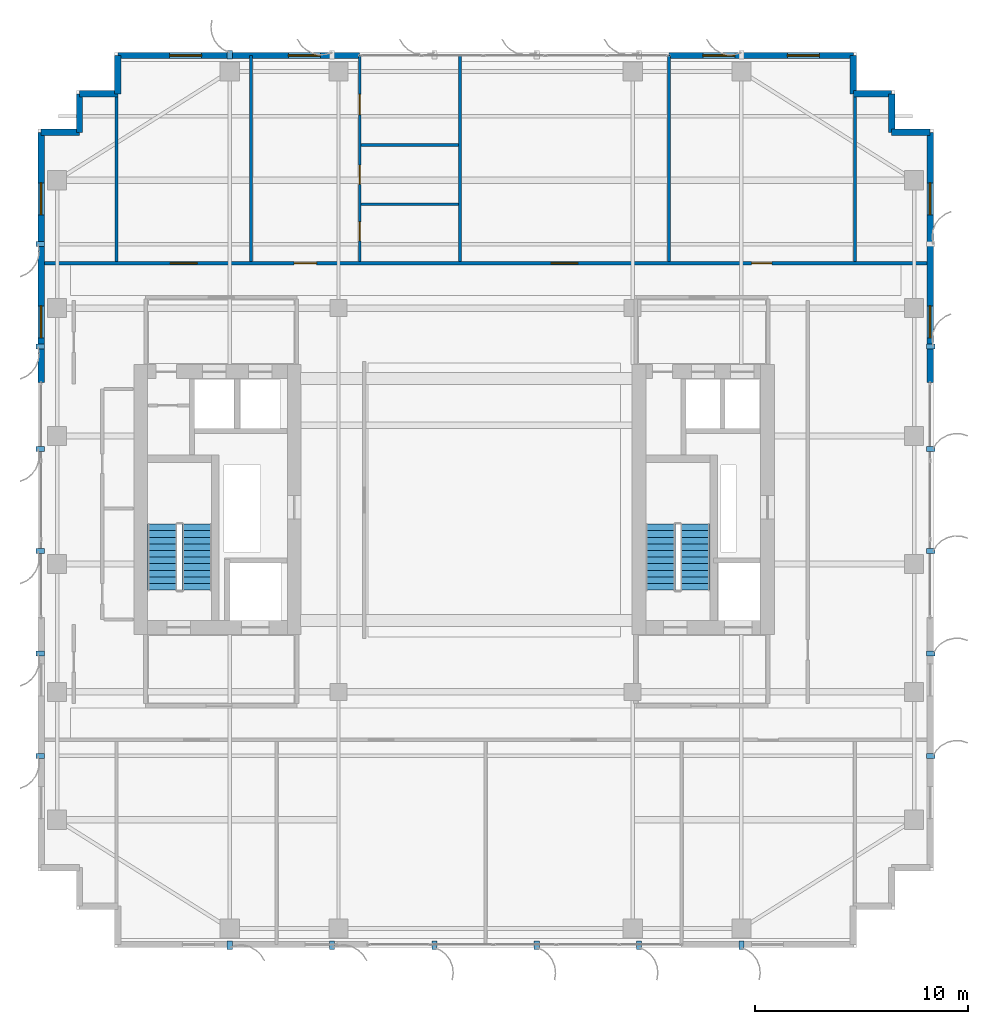
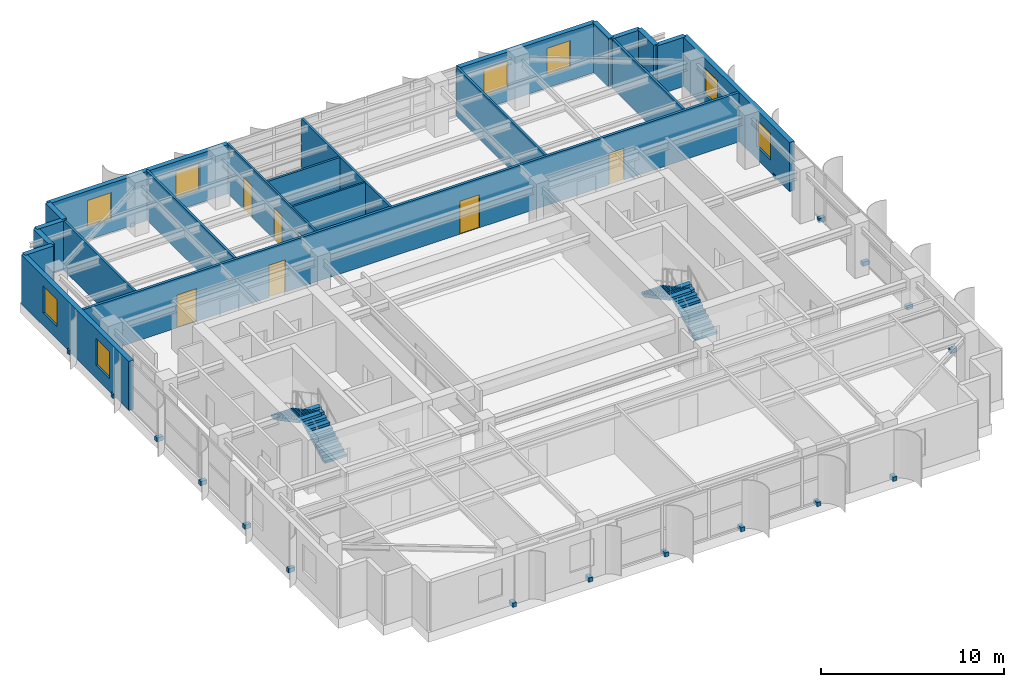
# One storey, part 21 of 25: 21 walls, 18 discrete accessories, 8 windows, 7 doors, 4 stair flights, 15 openings, 2 elements without a shape of their own.
"""IFC4 building model written with IfcOpenShell, lengths in metres."""

import ifcopenshell
import ifcopenshell.guid

model = None  # the IFC model being written
_history = None  # IfcOwnerHistory: only IFC2X3 demands one
_inside = {}  # id of a spatial element -> (the spatial element, [elements in it])
_under = {}  # id of a project, library or spatial element -> (it, [spatial elements below it])
_declared = {}  # id of a project -> (the project, [libraries it declares])
_typed = {}  # id of a type object -> (the type object, [elements of that type])
_made_of = {}  # id of a material, layer set ... -> (it, [elements and type objects made of it])


def new_model(schema):
    """Start an empty IFC model of exactly this schema.

    Asked for "IFC4X3", IfcOpenShell would pick the latest addendum, in which some entities
    have other attributes; the version numbers below select the first issue.
    IFC2X3 requires an IfcOwnerHistory on every rooted entity: one is made here for all.
    """
    global model, _history
    if schema == "IFC4X3":
        model = ifcopenshell.file(schema_version=(4, 3, 0, 0))
    else:
        model = ifcopenshell.file(schema=schema)
    _inside.clear()
    _under.clear()
    _declared.clear()
    _typed.clear()
    _made_of.clear()
    _history = None
    if model.schema == "IFC2X3":
        org = make("IfcOrganization", Name="unknown")
        user = make(
            "IfcPersonAndOrganization",
            ThePerson=make("IfcPerson", FamilyName="unknown"),
            TheOrganization=org,
        )
        app = make(
            "IfcApplication",
            ApplicationDeveloper=org,
            Version="unknown",
            ApplicationFullName="unknown",
            ApplicationIdentifier="unknown",
        )
        _history = make(
            "IfcOwnerHistory",
            OwningUser=user,
            OwningApplication=app,
            ChangeAction="ADDED",
            CreationDate=0,
        )
    return model


def make(cls, **values):
    """One entity of the class cls with the attributes given. An attribute that is None is left unset."""
    return model.create_entity(
        cls, **{name: value for name, value in values.items() if value is not None}
    )


def rooted(cls, **values):
    """An entity with a GlobalId (a new one), such as an element, a storey or a relation."""
    return make(cls, GlobalId=ifcopenshell.guid.new(), OwnerHistory=_history, **values)


def si_unit(unit_type, name, prefix=None):
    """IfcSIUnit, for example si_unit("LENGTHUNIT", "METRE", prefix="MILLI")."""
    return make("IfcSIUnit", UnitType=unit_type, Prefix=prefix, Name=name)


def assignment(units):
    """IfcUnitAssignment: the units of a project."""
    return None if units is None else make("IfcUnitAssignment", Units=units)


def point(xyz):
    """IfcCartesianPoint."""
    return None if xyz is None else make("IfcCartesianPoint", Coordinates=xyz)


def direction(xyz):
    """IfcDirection."""
    return None if xyz is None else make("IfcDirection", DirectionRatios=xyz)


def frame(location, z_axis=None, x_axis=None):
    """IfcAxis2Placement3D, a coordinate frame: its origin and axes. An axis left out is left unset."""
    return make(
        "IfcAxis2Placement3D",
        Location=point(location),
        Axis=direction(z_axis),
        RefDirection=direction(x_axis),
    )


def frame_2d(location, x_axis=None):
    """IfcAxis2Placement2D, a coordinate frame in the plane: its origin and x axis."""
    return make(
        "IfcAxis2Placement2D", Location=point(location), RefDirection=direction(x_axis)
    )


def origin():
    """The frame at (0, 0, 0) with its axes left unset."""
    return frame((0.0, 0.0, 0.0))


def origin_2d():
    """The frame at (0, 0) in the plane with its x axis left unset."""
    return frame_2d((0.0, 0.0))


def place(relative_to, where):
    """IfcLocalPlacement: puts the frame where relative to a parent placement (None: the world)."""
    return make(
        "IfcLocalPlacement", PlacementRelTo=relative_to, RelativePlacement=where
    )


def context(
    kind, dimensions, precision=None, world=None, true_north=None, identifier=None
):
    """IfcGeometricRepresentationContext, for example the 3D "Model" context."""
    return make(
        "IfcGeometricRepresentationContext",
        ContextIdentifier=identifier,
        ContextType=kind,
        CoordinateSpaceDimension=dimensions,
        Precision=precision,
        WorldCoordinateSystem=world,
        TrueNorth=true_north,
    )


def subcontext(parent, identifier, kind, view, scale=None):
    """IfcGeometricRepresentationSubContext, for example "Body" below "Model"."""
    return make(
        "IfcGeometricRepresentationSubContext",
        ContextIdentifier=identifier,
        ContextType=kind,
        ParentContext=parent,
        TargetScale=scale,
        TargetView=view,
    )


def project(units=None, contexts=None):
    """IfcProject with its units and contexts."""
    return rooted(
        "IfcProject",
        Name="project",
        RepresentationContexts=contexts,
        UnitsInContext=assignment(units),
    )


def spatial(cls, under=None, at=None, **own):
    """A site, building, storey or space (cls), placed at a placement, below another one or the project."""
    s = rooted(cls, ObjectPlacement=at, **own)
    if under is not None:
        _under.setdefault(under.id(), (under, []))[1].append(s)
    return s


def polyline(points):
    """IfcPolyline through the points."""
    return make("IfcPolyline", Points=[point(p) for p in points])


def profile(cls, at=None, kind="AREA", **sizes):
    """A parametric profile (cls). Its sizes go by their IFC names, for example OverallWidth=200.0."""
    return make(cls, ProfileType=kind, Position=at, **sizes)


def rectangle(**sizes):
    """IfcRectangleProfileDef."""
    return profile("IfcRectangleProfileDef", **sizes)


def outline(outer, holes=None, kind="AREA"):
    """IfcArbitraryClosedProfileDef: a profile drawn as a closed curve; with holes, ...WithVoids."""
    if holes is None:
        return make("IfcArbitraryClosedProfileDef", ProfileType=kind, OuterCurve=outer)
    return make(
        "IfcArbitraryProfileDefWithVoids",
        ProfileType=kind,
        OuterCurve=outer,
        InnerCurves=holes,
    )


def extrude(swept, where, along, depth):
    """IfcExtrudedAreaSolid: the profile swept, set in the frame where, extruded along a direction by depth."""
    return make(
        "IfcExtrudedAreaSolid",
        SweptArea=swept,
        Position=where,
        ExtrudedDirection=direction(along),
        Depth=depth,
    )


def shape(context_of_items, identifier, shape_type, items):
    """IfcShapeRepresentation: the items that make up one representation, for example the "Body"."""
    return make(
        "IfcShapeRepresentation",
        ContextOfItems=context_of_items,
        RepresentationIdentifier=identifier,
        RepresentationType=shape_type,
        Items=items,
    )


def source(mapping_origin, context_of_items, identifier, shape_type, items):
    """IfcRepresentationMap: a shape defined once, which mapped items show again and again."""
    return make(
        "IfcRepresentationMap",
        MappingOrigin=mapping_origin,
        MappedRepresentation=shape(context_of_items, identifier, shape_type, items),
    )


def transform(
    local_origin,
    x_axis=None,
    y_axis=None,
    z_axis=None,
    scale=None,
    scale2=None,
    scale3=None,
    uniform=True,
):
    """IfcCartesianTransformationOperator3D, or its non-uniform kind. x_axis, y_axis, z_axis: its Axis1, 2, 3."""
    if uniform:
        return make(
            "IfcCartesianTransformationOperator3D",
            Axis1=direction(x_axis),
            Axis2=direction(y_axis),
            LocalOrigin=point(local_origin),
            Scale=scale,
            Axis3=direction(z_axis),
        )
    return make(
        "IfcCartesianTransformationOperator3DnonUniform",
        Axis1=direction(x_axis),
        Axis2=direction(y_axis),
        LocalOrigin=point(local_origin),
        Scale=scale,
        Axis3=direction(z_axis),
        Scale2=scale2,
        Scale3=scale3,
    )


def mapped(mapping_source, mapping_target):
    """IfcMappedItem: shows the shape of a source again, moved by a transform."""
    return make(
        "IfcMappedItem", MappingSource=mapping_source, MappingTarget=mapping_target
    )


def material(Name=None, Category=None):
    """IfcMaterial."""
    return make("IfcMaterial", Name=Name, Category=Category)


def layer(
    of_material, thickness, ventilated=None, Name=None, Category=None, Priority=None
):
    """IfcMaterialLayer: one layer of a wall or slab, of a material (None: an air gap)."""
    return make(
        "IfcMaterialLayer",
        Material=of_material,
        LayerThickness=thickness,
        IsVentilated=ventilated,
        Name=Name,
        Category=Category,
        Priority=Priority,
    )


def layer_set(layers, Name=None):
    """IfcMaterialLayerSet."""
    return make("IfcMaterialLayerSet", MaterialLayers=layers, LayerSetName=Name)


def made_of(thing, what):
    """Note that an element or type object is made of a material, layer set ...; save() writes the relation."""
    if what is not None:
        _made_of.setdefault(what.id(), (what, []))[1].append(thing)
    return thing


def type_object(cls, material=None, **own):
    """A type object (cls), such as IfcWallType, which elements share."""
    return made_of(rooted(cls, **own), material)


def element(
    cls,
    number,
    at=None,
    inside=None,
    cuts=None,
    type_object=None,
    material=None,
    context=None,
    identifier="Body",
    shape_type=None,
    held_by="IfcProductDefinitionShape",
    body=None,
    shapes=None,
    **own,
):
    """One element of the class cls, such as IfcWall. Its Tag is "e" and its number.

    at: its placement. inside: the storey or other place that contains it. cuts: it is an
    opening in that element (IfcRelVoidsElement). A single representation is given by context,
    identifier, shape_type and body (its items); several are given by shapes. held_by: the class
    of the entity that holds the representations. save() writes the other relations.
    """
    e = rooted(cls, Tag="e%d" % number, ObjectPlacement=at, **own)
    if body is not None:
        shapes = [shape(context, identifier, shape_type, body)]
    if shapes is not None:
        e.Representation = make(held_by, Representations=shapes)
    if inside is not None:
        _inside.setdefault(inside.id(), (inside, []))[1].append(e)
    if cuts is not None:
        rooted(
            "IfcRelVoidsElement", RelatingBuildingElement=cuts, RelatedOpeningElement=e
        )
    if type_object is not None:
        _typed.setdefault(type_object.id(), (type_object, []))[1].append(e)
    return made_of(e, material)


def fill(opening, filler):
    """IfcRelFillsElement: the door or window that sits in an opening."""
    return rooted(
        "IfcRelFillsElement",
        RelatingOpeningElement=opening,
        RelatedBuildingElement=filler,
    )


def aggregate(whole, parts):
    """IfcRelAggregates: a whole, such as a stair, and the parts it consists of."""
    return rooted("IfcRelAggregates", RelatingObject=whole, RelatedObjects=parts)


def save(model, path):
    """Write the relations noted so far, then the file.

    IfcRelAggregates (storeys below a building ...), IfcRelContainedInSpatialStructure (elements
    in a storey), IfcRelDefinesByType, IfcRelAssociatesMaterial and IfcRelDeclares: one each for
    every whole, place, type object, material and project.
    """
    for whole, parts in _under.values():
        aggregate(whole, parts)
    for where, things in _inside.values():
        rooted(
            "IfcRelContainedInSpatialStructure",
            RelatedElements=things,
            RelatingStructure=where,
        )
    for kind, things in _typed.values():
        rooted("IfcRelDefinesByType", RelatedObjects=things, RelatingType=kind)
    for what, things in _made_of.values():
        rooted("IfcRelAssociatesMaterial", RelatedObjects=things, RelatingMaterial=what)
    for by, libraries in _declared.values():
        rooted("IfcRelDeclares", RelatingContext=by, RelatedDefinitions=libraries)
    model.write(path)


model = new_model("IFC4")

# Units and contexts
model_context = context("Model", 3, precision=1e-05, world=origin(), true_north=direction((0.0, 1.0)))
body_context = subcontext(model_context, "Body", "Model", "MODEL_VIEW")
ifc_project = project(units=[si_unit("LENGTHUNIT", "METRE"), si_unit("AREAUNIT", "SQUARE_METRE"), si_unit("VOLUMEUNIT", "CUBIC_METRE"), si_unit("PLANEANGLEUNIT", "RADIAN"), si_unit("MASSUNIT", "GRAM", prefix="KILO")], contexts=[model_context])

# Site, building, storey
site_placement = place(None, origin())
site = spatial("IfcSite", under=ifc_project, at=site_placement, CompositionType="ELEMENT")
building_placement = place(site_placement, origin())
building = spatial("IfcBuilding", under=site, at=building_placement, Name="Khoralis Quay Care Tower", CompositionType="ELEMENT")
storey_placement = place(building_placement, frame((0.0, 0.0, 216.89990234375)))
storey = spatial("IfcBuildingStorey", under=building, at=storey_placement, Name="L57", CompositionType="ELEMENT", Elevation=216.89990234375)

# Wall, openings, doors
ifc_material_1 = material(Name="Gypsum plasterboard on acoustic metal stud")
ifc_layer_1 = layer(ifc_material_1, 0.1650390625)
ifc_layer_set_1 = layer_set([ifc_layer_1], Name="Gypsum plasterboard on acoustic metal stud")
wall_type_1 = type_object("IfcWallType", Name="WL-CORR-165", PredefinedType="PARTITIONING", material=ifc_layer_set_1)
wall_1_placement = place(storey_placement, frame((3.14501953125, 32.10009765625, 0.0), z_axis=(0.0, 0.0, 1.0), x_axis=(1.0, 0.0, 0.0)))
wall_1 = element("IfcWall", 1, at=wall_1_placement, inside=storey, type_object=wall_type_1, Name="L57 North Gallery Wall", PredefinedType="PARTITIONING", context=body_context, shape_type="SweptSolid", body=[
    extrude(rectangle(XDim=41.7099609375, YDim=0.1650390625, at=frame_2d((20.85498046875, 0.0))), origin(), (0.0, 0.0, 1.0), 3.280029296875),
])
opening_1_placement = place(wall_1_placement, frame((6.070068359375, 0.0, 0.0)))
opening_1 = element("IfcOpeningElement", 2, at=opening_1_placement, cuts=wall_1, Name="Opening CD1", PredefinedType="OPENING", context=body_context, shape_type="SweptSolid", body=[
    extrude(rectangle(XDim=1.25, YDim=2.199951171875, at=frame_2d((0.625, 1.10009765625))), frame((0.0, 0.092529296875, 0.0), z_axis=(0.0, -1.0, 0.0), x_axis=(1.0, 0.0, 0.0)), (0.0, 0.0, 1.0), 0.18505859375),
])
opening_2_placement = place(wall_1_placement, frame((11.8779296875, 0.0, 0.0)))
opening_2 = element("IfcOpeningElement", 3, at=opening_2_placement, cuts=wall_1, Name="Opening UD1", PredefinedType="OPENING", context=body_context, shape_type="SweptSolid", body=[
    extrude(rectangle(XDim=1.050048828125, YDim=2.14990234375, at=frame_2d((0.52490234375, 1.074951171875))), frame((0.0, 0.092529296875, 0.0), z_axis=(0.0, -1.0, 0.0), x_axis=(1.0, 0.0, 0.0)), (0.0, 0.0, 1.0), 0.18505859375),
])
opening_3_placement = place(wall_1_placement, frame((23.929931640625, 0.0, 0.0)))
opening_3 = element("IfcOpeningElement", 4, at=opening_3_placement, cuts=wall_1, Name="Opening CD1", PredefinedType="OPENING", context=body_context, shape_type="SweptSolid", body=[
    extrude(rectangle(XDim=1.25, YDim=2.199951171875, at=frame_2d((0.625, 1.10009765625))), frame((0.0, 0.092529296875, 0.0), z_axis=(0.0, -1.0, 0.0), x_axis=(1.0, 0.0, 0.0)), (0.0, 0.0, 1.0), 0.18505859375),
])
opening_4_placement = place(wall_1_placement, frame((33.340087890625, 0.0, 0.0)))
opening_4 = element("IfcOpeningElement", 5, at=opening_4_placement, cuts=wall_1, Name="Opening ID1", PredefinedType="OPENING", context=body_context, shape_type="SweptSolid", body=[
    extrude(rectangle(XDim=0.949951171875, YDim=2.10009765625, at=frame_2d((0.47509765625, 1.050048828125))), frame((0.0, 0.092529296875, 0.0), z_axis=(0.0, -1.0, 0.0), x_axis=(1.0, 0.0, 0.0)), (0.0, 0.0, 1.0), 0.18505859375),
])
ifc_material_2 = material(Name="Acoustic hardwood timber", Category="wood")
door_type_1 = type_object("IfcDoorType", Name="DR-CARE-1250X2200", OperationType="NOTDEFINED", PredefinedType="DOOR", material=ifc_material_2)
shared_shape_1 = source(origin(), body_context, "Body", "SweptSolid", [
    extrude(rectangle(XDim=1.25, YDim=2.199951171875, at=frame_2d((0.625, 1.10009765625))), frame((0.0, 0.02490234375, 0.0), z_axis=(0.0, -1.0, 0.0), x_axis=(1.0, 0.0, 0.0)), (0.0, 0.0, 1.0), 0.050048828125),
])
door_1_placement = place(opening_1_placement, origin())
door_1 = element("IfcDoor", 6, at=door_1_placement, inside=storey, type_object=door_type_1, Name="L57 Geriatric Consultation Clinic Door", OperationType="SINGLE_SWING_LEFT", OverallHeight=2.199951171875, OverallWidth=1.25, PredefinedType="DOOR", context=body_context, shape_type="MappedRepresentation", body=[
    mapped(shared_shape_1, transform((0.0, 0.0, 0.0), scale=1.0)),
])
fill(opening_1, door_1)
door_2_placement = place(opening_3_placement, origin())
door_2 = element("IfcDoor", 7, at=door_2_placement, inside=storey, type_object=door_type_1, Name="L57 Physiotherapy Treatment Clinic Door", OperationType="SINGLE_SWING_LEFT", OverallHeight=2.199951171875, OverallWidth=1.25, PredefinedType="DOOR", context=body_context, shape_type="MappedRepresentation", body=[
    mapped(shared_shape_1, transform((0.0, 0.0, 0.0), scale=1.0)),
])
fill(opening_3, door_2)
door_type_2 = type_object("IfcDoorType", Name="DR-ROOM-950X2100", OperationType="NOTDEFINED", PredefinedType="DOOR", material=ifc_material_2)
shared_shape_2 = source(origin(), body_context, "Body", "SweptSolid", [
    extrude(rectangle(XDim=0.949951171875, YDim=2.10009765625, at=frame_2d((0.47509765625, 1.050048828125))), frame((0.0, 0.02490234375, 0.0), z_axis=(0.0, -1.0, 0.0), x_axis=(1.0, 0.0, 0.0)), (0.0, 0.0, 1.0), 0.050048828125),
])
door_3_placement = place(opening_4_placement, origin())
door_3 = element("IfcDoor", 8, at=door_3_placement, inside=storey, type_object=door_type_2, Name="L57 Care Coordination Office Door", OperationType="SINGLE_SWING_LEFT", OverallHeight=2.10009765625, OverallWidth=0.949951171875, PredefinedType="DOOR", context=body_context, shape_type="MappedRepresentation", body=[
    mapped(shared_shape_2, transform((0.0, 0.0, 0.0), scale=1.0)),
])
fill(opening_4, door_3)
door_type_3 = type_object("IfcDoorType", Name="DR-SUITE-1050X2150", OperationType="NOTDEFINED", PredefinedType="DOOR", material=ifc_material_2)
shared_shape_3 = source(origin(), body_context, "Body", "SweptSolid", [
    extrude(rectangle(XDim=1.050048828125, YDim=2.14990234375, at=frame_2d((0.52490234375, 1.074951171875))), frame((0.0, 0.02490234375, 0.0), z_axis=(0.0, -1.0, 0.0), x_axis=(1.0, 0.0, 0.0)), (0.0, 0.0, 1.0), 0.050048828125),
])
door_4_placement = place(opening_2_placement, origin())
door_4 = element("IfcDoor", 9, at=door_4_placement, inside=storey, type_object=door_type_3, Name="L57 Apartment NB1 Entrance Door", OperationType="SINGLE_SWING_RIGHT", OverallHeight=2.14990234375, OverallWidth=1.050048828125, PredefinedType="DOOR", context=body_context, shape_type="MappedRepresentation", body=[
    mapped(shared_shape_3, transform((0.0, 0.0, 0.0), scale=1.0)),
])
fill(opening_2, door_4)

# Wall, openings, windows
ifc_material_3 = material(Name="Precast concrete C45/55", Category="concrete")
ifc_layer_2 = layer(ifc_material_3, 0.300048828125)
ifc_layer_set_2 = layer_set([ifc_layer_2], Name="Precast concrete C45/55")
wall_type_2 = type_object("IfcWallType", Name="WL-EXT-REF-300", PredefinedType="SOLIDWALL", material=ifc_layer_set_2)
wall_2_placement = place(storey_placement, frame((44.85009765625, 26.52001953125, 0.0), z_axis=(0.0, 0.0, 1.0), x_axis=(0.0, 1.0, 0.0)))
wall_2 = element("IfcWall", 10, at=wall_2_placement, inside=storey, type_object=wall_type_2, Name="L57 External Facade Wall WL-EXT-L57-P1-E5B", PredefinedType="SOLIDWALL", context=body_context, shape_type="SweptSolid", body=[
    extrude(rectangle(XDim=11.72998046875, YDim=0.300048828125, at=frame_2d((5.864990234375, 0.0))), origin(), (0.0, 0.0, 1.0), 3.280029296875),
])
opening_5_placement = place(wall_2_placement, frame((2.090087890625, 0.0, 0.85009765625)))
opening_5 = element("IfcOpeningElement", 11, at=opening_5_placement, cuts=wall_2, Name="Opening W3", PredefinedType="OPENING", context=body_context, shape_type="SweptSolid", body=[
    extrude(rectangle(XDim=1.5, YDim=1.800048828125, at=frame_2d((0.75, 0.89990234375))), frame((0.0, 0.16015625, 0.0), z_axis=(0.0, -1.0, 0.0), x_axis=(1.0, 0.0, 0.0)), (0.0, 0.0, 1.0), 0.320068359375),
])
opening_6_placement = place(wall_2_placement, frame((7.85498046875, 0.0, 0.85009765625)))
opening_6 = element("IfcOpeningElement", 12, at=opening_6_placement, cuts=wall_2, Name="Opening W3", PredefinedType="OPENING", context=body_context, shape_type="SweptSolid", body=[
    extrude(rectangle(XDim=1.5, YDim=1.800048828125, at=frame_2d((0.75, 0.89990234375))), frame((0.0, 0.16015625, 0.0), z_axis=(0.0, -1.0, 0.0), x_axis=(1.0, 0.0, 0.0)), (0.0, 0.0, 1.0), 0.320068359375),
])
ifc_material_4 = material(Name="Low-E solar-control double glazing", Category="glass")
window_type = type_object("IfcWindowType", Name="WN-CLIN-1500X1800", PartitioningType="SINGLE_PANEL", PredefinedType="WINDOW", material=ifc_material_4)
shared_shape_4 = source(origin(), body_context, "Body", "SweptSolid", [
    extrude(rectangle(XDim=1.5, YDim=1.800048828125, at=frame_2d((0.75, 0.89990234375))), frame((0.0, 0.030029296875, 0.0), z_axis=(0.0, -1.0, 0.0), x_axis=(1.0, 0.0, 0.0)), (0.0, 0.0, 1.0), 0.06005859375),
])
window_1_placement = place(opening_5_placement, origin())
window_1 = element("IfcWindow", 13, at=window_1_placement, inside=storey, type_object=window_type, Name="WN-L57-P1-E5B Facade Window 01", OverallHeight=1.800048828125, OverallWidth=1.5, PartitioningType="SINGLE_PANEL", PredefinedType="WINDOW", context=body_context, shape_type="MappedRepresentation", body=[
    mapped(shared_shape_4, transform((0.0, 0.0, 0.0), scale=1.0)),
])
fill(opening_5, window_1)
window_2_placement = place(opening_6_placement, origin())
window_2 = element("IfcWindow", 14, at=window_2_placement, inside=storey, type_object=window_type, Name="WN-L57-P1-E5B Facade Window 02", OverallHeight=1.800048828125, OverallWidth=1.5, PartitioningType="SINGLE_PANEL", PredefinedType="WINDOW", context=body_context, shape_type="MappedRepresentation", body=[
    mapped(shared_shape_4, transform((0.0, 0.0, 0.0), scale=1.0)),
])
fill(opening_6, window_2)

# Walls
for number, where, z_axis, x_axis, name in (
    (15, (44.85009765625, 38.25, 0.0), (0.0, 0.0, 1.0), (-1.0, 0.0, 0.0), "L57 External Facade Wall WL-EXT-L57-P1-C6"),
    (16, (43.050048828125, 38.25, 0.0), (0.0, 0.0, 1.0), (0.0, 1.0, 0.0), "L57 External Facade Wall WL-EXT-L57-P1-C7"),
    (17, (43.050048828125, 40.050048828125, 0.0), (0.0, 0.0, 1.0), (-1.0, 0.0, 0.0), "L57 External Facade Wall WL-EXT-L57-P1-C8"),
    (18, (41.25, 40.050048828125, 0.0), (0.0, 0.0, 1.0), (0.0, 1.0, 0.0), "L57 External Facade Wall WL-EXT-L57-P1-C9"),
):
    element("IfcWall", number, at=place(storey_placement, frame(where, z_axis=z_axis, x_axis=x_axis)), inside=storey, type_object=wall_type_2, Name=name, PredefinedType="SOLIDWALL", context=body_context, shape_type="SweptSolid", body=[
        extrude(rectangle(XDim=1.800048828125, YDim=0.300048828125, at=frame_2d((0.89990234375, 0.0))), origin(), (0.0, 0.0, 1.0), 3.280029296875),
    ])

# Wall, openings, windows
wall_3_placement = place(storey_placement, frame((41.25, 41.85009765625, 0.0), z_axis=(0.0, 0.0, 1.0), x_axis=(-1.0, 0.0, 0.0)))
wall_3 = element("IfcWall", 19, at=wall_3_placement, inside=storey, type_object=wall_type_2, Name="L57 External Facade Wall WL-EXT-L57-P1-E10A", PredefinedType="SOLIDWALL", context=body_context, shape_type="SweptSolid", body=[
    extrude(rectangle(XDim=8.64990234375, YDim=0.300048828125, at=frame_2d((4.324951171875, 0.0))), origin(), (0.0, 0.0, 1.0), 3.280029296875),
])
opening_7_placement = place(wall_3_placement, frame((1.592529296875, 0.0, 0.85009765625)))
opening_7 = element("IfcOpeningElement", 20, at=opening_7_placement, cuts=wall_3, Name="Opening W3", PredefinedType="OPENING", context=body_context, shape_type="SweptSolid", body=[
    extrude(rectangle(XDim=1.5, YDim=1.800048828125, at=frame_2d((0.75, 0.89990234375))), frame((0.0, 0.16015625, 0.0), z_axis=(0.0, -1.0, 0.0), x_axis=(1.0, 0.0, 0.0)), (0.0, 0.0, 1.0), 0.320068359375),
])
opening_8_placement = place(wall_3_placement, frame((5.5576171875, 0.0, 0.85009765625)))
opening_8 = element("IfcOpeningElement", 21, at=opening_8_placement, cuts=wall_3, Name="Opening W3", PredefinedType="OPENING", context=body_context, shape_type="SweptSolid", body=[
    extrude(rectangle(XDim=1.5, YDim=1.800048828125, at=frame_2d((0.75, 0.89990234375))), frame((0.0, 0.16015625, 0.0), z_axis=(0.0, -1.0, 0.0), x_axis=(1.0, 0.0, 0.0)), (0.0, 0.0, 1.0), 0.320068359375),
])
window_3_placement = place(opening_7_placement, origin())
window_3 = element("IfcWindow", 22, at=window_3_placement, inside=storey, type_object=window_type, Name="WN-L57-P1-E10A Facade Window 01", OverallHeight=1.800048828125, OverallWidth=1.5, PartitioningType="SINGLE_PANEL", PredefinedType="WINDOW", context=body_context, shape_type="MappedRepresentation", body=[
    mapped(shared_shape_4, transform((0.0, 0.0, 0.0), scale=1.0)),
])
fill(opening_7, window_3)
window_4_placement = place(opening_8_placement, origin())
window_4 = element("IfcWindow", 23, at=window_4_placement, inside=storey, type_object=window_type, Name="WN-L57-P1-E10A Facade Window 02", OverallHeight=1.800048828125, OverallWidth=1.5, PartitioningType="SINGLE_PANEL", PredefinedType="WINDOW", context=body_context, shape_type="MappedRepresentation", body=[
    mapped(shared_shape_4, transform((0.0, 0.0, 0.0), scale=1.0)),
])
fill(opening_8, window_4)

wall_4_placement = place(storey_placement, frame((18.095947265625, 41.85009765625, 0.0), z_axis=(0.0, 0.0, 1.0), x_axis=(-1.0, 0.0, 0.0)))
wall_4 = element("IfcWall", 24, at=wall_4_placement, inside=storey, type_object=wall_type_2, Name="L57 External Facade Wall WL-EXT-L57-P1-E10B", PredefinedType="SOLIDWALL", context=body_context, shape_type="SweptSolid", body=[
    extrude(rectangle(XDim=11.345947265625, YDim=0.300048828125, at=frame_2d((5.6728515625, 0.0))), origin(), (0.0, 0.0, 1.0), 3.280029296875),
])
opening_9_placement = place(wall_4_placement, frame((1.847900390625, 0.0, 0.85009765625)))
opening_9 = element("IfcOpeningElement", 25, at=opening_9_placement, cuts=wall_4, Name="Opening W3", PredefinedType="OPENING", context=body_context, shape_type="SweptSolid", body=[
    extrude(rectangle(XDim=1.5, YDim=1.800048828125, at=frame_2d((0.75, 0.89990234375))), frame((0.0, 0.16015625, 0.0), z_axis=(0.0, -1.0, 0.0), x_axis=(1.0, 0.0, 0.0)), (0.0, 0.0, 1.0), 0.320068359375),
])
opening_10_placement = place(wall_4_placement, frame((7.4208984375, 0.0, 0.85009765625)))
opening_10 = element("IfcOpeningElement", 26, at=opening_10_placement, cuts=wall_4, Name="Opening W3", PredefinedType="OPENING", context=body_context, shape_type="SweptSolid", body=[
    extrude(rectangle(XDim=1.5, YDim=1.800048828125, at=frame_2d((0.75, 0.89990234375))), frame((0.0, 0.16015625, 0.0), z_axis=(0.0, -1.0, 0.0), x_axis=(1.0, 0.0, 0.0)), (0.0, 0.0, 1.0), 0.320068359375),
])
window_5_placement = place(opening_9_placement, origin())
window_5 = element("IfcWindow", 27, at=window_5_placement, inside=storey, type_object=window_type, Name="WN-L57-P1-E10B Facade Window 01", OverallHeight=1.800048828125, OverallWidth=1.5, PartitioningType="SINGLE_PANEL", PredefinedType="WINDOW", context=body_context, shape_type="MappedRepresentation", body=[
    mapped(shared_shape_4, transform((0.0, 0.0, 0.0), scale=1.0)),
])
fill(opening_9, window_5)
window_6_placement = place(opening_10_placement, origin())
window_6 = element("IfcWindow", 28, at=window_6_placement, inside=storey, type_object=window_type, Name="WN-L57-P1-E10B Facade Window 02", OverallHeight=1.800048828125, OverallWidth=1.5, PartitioningType="SINGLE_PANEL", PredefinedType="WINDOW", context=body_context, shape_type="MappedRepresentation", body=[
    mapped(shared_shape_4, transform((0.0, 0.0, 0.0), scale=1.0)),
])
fill(opening_10, window_6)

# Walls
for number, where, z_axis, x_axis, name in (
    (29, (6.75, 41.85009765625, 0.0), (0.0, 0.0, 1.0), (0.0, -1.0, 0.0), "L57 External Facade Wall WL-EXT-L57-P1-C11"),
    (30, (6.75, 40.050048828125, 0.0), (0.0, 0.0, 1.0), (-1.0, 0.0, 0.0), "L57 External Facade Wall WL-EXT-L57-P1-C12"),
    (31, (4.949951171875, 40.050048828125, 0.0), (0.0, 0.0, 1.0), (0.0, -1.0, 0.0), "L57 External Facade Wall WL-EXT-L57-P1-C13"),
    (32, (4.949951171875, 38.25, 0.0), (0.0, 0.0, 1.0), (-1.0, 0.0, 0.0), "L57 External Facade Wall WL-EXT-L57-P1-C14"),
):
    element("IfcWall", number, at=place(storey_placement, frame(where, z_axis=z_axis, x_axis=x_axis)), inside=storey, type_object=wall_type_2, Name=name, PredefinedType="SOLIDWALL", context=body_context, shape_type="SweptSolid", body=[
        extrude(rectangle(XDim=1.800048828125, YDim=0.300048828125, at=frame_2d((0.89990234375, 0.0))), origin(), (0.0, 0.0, 1.0), 3.280029296875),
    ])

# Wall, openings, windows
wall_5_placement = place(storey_placement, frame((3.14990234375, 38.25, 0.0), z_axis=(0.0, 0.0, 1.0), x_axis=(0.0, -1.0, 0.0)))
wall_5 = element("IfcWall", 33, at=wall_5_placement, inside=storey, type_object=wall_type_2, Name="L57 External Facade Wall WL-EXT-L57-P1-E15A", PredefinedType="SOLIDWALL", context=body_context, shape_type="SweptSolid", body=[
    extrude(rectangle(XDim=11.72998046875, YDim=0.300048828125, at=frame_2d((5.864990234375, 0.0))), origin(), (0.0, 0.0, 1.0), 3.280029296875),
])
opening_11_placement = place(wall_5_placement, frame((2.375, 0.0, 0.85009765625)))
opening_11 = element("IfcOpeningElement", 34, at=opening_11_placement, cuts=wall_5, Name="Opening W3", PredefinedType="OPENING", context=body_context, shape_type="SweptSolid", body=[
    extrude(rectangle(XDim=1.5, YDim=1.800048828125, at=frame_2d((0.75, 0.89990234375))), frame((0.0, 0.16015625, 0.0), z_axis=(0.0, -1.0, 0.0), x_axis=(1.0, 0.0, 0.0)), (0.0, 0.0, 1.0), 0.320068359375),
])
opening_12_placement = place(wall_5_placement, frame((8.139892578125, 0.0, 0.85009765625)))
opening_12 = element("IfcOpeningElement", 35, at=opening_12_placement, cuts=wall_5, Name="Opening W3", PredefinedType="OPENING", context=body_context, shape_type="SweptSolid", body=[
    extrude(rectangle(XDim=1.5, YDim=1.800048828125, at=frame_2d((0.75, 0.89990234375))), frame((0.0, 0.16015625, 0.0), z_axis=(0.0, -1.0, 0.0), x_axis=(1.0, 0.0, 0.0)), (0.0, 0.0, 1.0), 0.320068359375),
])
window_7_placement = place(opening_11_placement, origin())
window_7 = element("IfcWindow", 36, at=window_7_placement, inside=storey, type_object=window_type, Name="WN-L57-P1-E15A Facade Window 01", OverallHeight=1.800048828125, OverallWidth=1.5, PartitioningType="SINGLE_PANEL", PredefinedType="WINDOW", context=body_context, shape_type="MappedRepresentation", body=[
    mapped(shared_shape_4, transform((0.0, 0.0, 0.0), scale=1.0)),
])
fill(opening_11, window_7)
window_8_placement = place(opening_12_placement, origin())
window_8 = element("IfcWindow", 37, at=window_8_placement, inside=storey, type_object=window_type, Name="WN-L57-P1-E15A Facade Window 02", OverallHeight=1.800048828125, OverallWidth=1.5, PartitioningType="SINGLE_PANEL", PredefinedType="WINDOW", context=body_context, shape_type="MappedRepresentation", body=[
    mapped(shared_shape_4, transform((0.0, 0.0, 0.0), scale=1.0)),
])
fill(opening_12, window_8)

# Wall, openings, doors
ifc_layer_3 = layer(ifc_material_1, 0.114990234375)
ifc_layer_set_3 = layer_set([ifc_layer_3], Name="Gypsum plasterboard on acoustic metal stud")
wall_type_3 = type_object("IfcWallType", Name="WL-PART-115", PredefinedType="PARTITIONING", material=ifc_layer_set_3)
wall_6_placement = place(storey_placement, frame((18.095947265625, 32.177490234375, 0.0), z_axis=(0.0, 0.0, 1.0), x_axis=(0.0, 1.0, 0.0)))
wall_6 = element("IfcWall", 38, at=wall_6_placement, inside=storey, type_object=wall_type_3, Name="L57 Unit 1 Internal Wall", PredefinedType="PARTITIONING", context=body_context, shape_type="SweptSolid", body=[
    extrude(rectangle(XDim=9.677490234375, YDim=0.114990234375, at=frame_2d((4.8388671875, 0.0))), origin(), (0.0, 0.0, 1.0), 3.280029296875),
])
opening_13_placement = place(wall_6_placement, frame((6.89453125, 0.0, 0.0)))
opening_13 = element("IfcOpeningElement", 39, at=opening_13_placement, cuts=wall_6, Name="Opening ID1", PredefinedType="OPENING", context=body_context, shape_type="SweptSolid", body=[
    extrude(rectangle(XDim=0.949951171875, YDim=2.10009765625, at=frame_2d((0.47509765625, 1.050048828125))), frame((0.0, 0.0673828125, 0.0), z_axis=(0.0, -1.0, 0.0), x_axis=(1.0, 0.0, 0.0)), (0.0, 0.0, 1.0), 0.135009765625),
])
opening_14_placement = place(wall_6_placement, frame((3.630615234375, 0.0, 0.0)))
opening_14 = element("IfcOpeningElement", 40, at=opening_14_placement, cuts=wall_6, Name="Opening WD1", PredefinedType="OPENING", context=body_context, shape_type="SweptSolid", body=[
    extrude(rectangle(XDim=0.89990234375, YDim=2.10009765625, at=frame_2d((0.449951171875, 1.050048828125))), frame((0.0, 0.0673828125, 0.0), z_axis=(0.0, -1.0, 0.0), x_axis=(1.0, 0.0, 0.0)), (0.0, 0.0, 1.0), 0.135009765625),
])
opening_15_placement = place(wall_6_placement, frame((0.973388671875, 0.0, 0.0)))
opening_15 = element("IfcOpeningElement", 41, at=opening_15_placement, cuts=wall_6, Name="Opening WD1", PredefinedType="OPENING", context=body_context, shape_type="SweptSolid", body=[
    extrude(rectangle(XDim=0.89990234375, YDim=2.10009765625, at=frame_2d((0.449951171875, 1.050048828125))), frame((0.0, 0.0673828125, 0.0), z_axis=(0.0, -1.0, 0.0), x_axis=(1.0, 0.0, 0.0)), (0.0, 0.0, 1.0), 0.135009765625),
])
door_type_4 = type_object("IfcDoorType", Name="DR-BATH-900X2100", OperationType="NOTDEFINED", PredefinedType="DOOR", material=ifc_material_2)
shared_shape_5 = source(origin(), body_context, "Body", "SweptSolid", [
    extrude(rectangle(XDim=0.89990234375, YDim=2.10009765625, at=frame_2d((0.449951171875, 1.050048828125))), frame((0.0, 0.02490234375, 0.0), z_axis=(0.0, -1.0, 0.0), x_axis=(1.0, 0.0, 0.0)), (0.0, 0.0, 1.0), 0.050048828125),
])
door_5_placement = place(opening_14_placement, frame((0.89990234375, 0.0, 0.0), z_axis=(0.0, 0.0, 1.0), x_axis=(-1.0, 0.0, 0.0)))
door_5 = element("IfcDoor", 42, at=door_5_placement, inside=storey, type_object=door_type_4, Name="L57 Apartment NB1 KIT Door", OperationType="SINGLE_SWING_RIGHT", OverallHeight=2.10009765625, OverallWidth=0.89990234375, PredefinedType="DOOR", context=body_context, shape_type="MappedRepresentation", body=[
    mapped(shared_shape_5, transform((0.0, 0.0, 0.0), scale=1.0)),
])
fill(opening_14, door_5)
door_6_placement = place(opening_15_placement, frame((0.89990234375, 0.0, 0.0), z_axis=(0.0, 0.0, 1.0), x_axis=(-1.0, 0.0, 0.0)))
door_6 = element("IfcDoor", 43, at=door_6_placement, inside=storey, type_object=door_type_4, Name="L57 Apartment NB1 BTH Door", OperationType="SINGLE_SWING_LEFT", OverallHeight=2.10009765625, OverallWidth=0.89990234375, PredefinedType="DOOR", context=body_context, shape_type="MappedRepresentation", body=[
    mapped(shared_shape_5, transform((0.0, 0.0, 0.0), scale=1.0)),
])
fill(opening_15, door_6)
door_7_placement = place(opening_13_placement, frame((0.949951171875, 0.0, 0.0), z_axis=(0.0, 0.0, 1.0), x_axis=(-1.0, 0.0, 0.0)))
door_7 = element("IfcDoor", 44, at=door_7_placement, inside=storey, type_object=door_type_2, Name="L57 Apartment NB1 BED Door", OperationType="SINGLE_SWING_LEFT", OverallHeight=2.10009765625, OverallWidth=0.949951171875, PredefinedType="DOOR", context=body_context, shape_type="MappedRepresentation", body=[
    mapped(shared_shape_2, transform((0.0, 0.0, 0.0), scale=1.0)),
])
fill(opening_13, door_7)

# Walls
wall_7_placement = place(storey_placement, frame((18.1484375, 34.8720703125, 0.0), z_axis=(0.0, 0.0, 1.0), x_axis=(1.0, 0.0, 0.0)))
element("IfcWall", 45, at=wall_7_placement, inside=storey, type_object=wall_type_3, Name="L57 Unit 1 Kitchen Wall", PredefinedType="PARTITIONING", context=body_context, shape_type="SweptSolid", body=[
    extrude(rectangle(XDim=4.586669921875, YDim=0.114990234375, at=frame_2d((2.29345703125, 0.0))), origin(), (0.0, 0.0, 1.0), 3.280029296875),
])
ifc_material_5 = material(Name="Moisture-resistant gypsum and ceramic tile")
ifc_layer_4 = layer(ifc_material_5, 0.280029296875)
ifc_layer_set_4 = layer_set([ifc_layer_4], Name="Moisture-resistant gypsum and ceramic tile")
wall_type_4 = type_object("IfcWallType", Name="WL-PLUMB-280", PredefinedType="PLUMBINGWALL", material=ifc_layer_set_4)
wall_8_placement = place(storey_placement, frame((18.1484375, 37.64404296875, 0.0), z_axis=(0.0, 0.0, 1.0), x_axis=(1.0, 0.0, 0.0)))
element("IfcWall", 46, at=wall_8_placement, inside=storey, type_object=wall_type_4, Name="L57 Unit 1 Wet Wall", PredefinedType="PLUMBINGWALL", context=body_context, shape_type="SweptSolid", body=[
    extrude(rectangle(XDim=4.586669921875, YDim=0.139892578125, at=frame_2d((2.29345703125, 0.0))), origin(), (0.0, 0.0, 1.0), 3.280029296875),
])
ifc_layer_5 = layer(ifc_material_1, 0.139892578125)
ifc_layer_set_5 = layer_set([ifc_layer_5], Name="Gypsum plasterboard on acoustic metal stud")
wall_type_5 = type_object("IfcWallType", Name="WL-UNIT-140", PredefinedType="PARTITIONING", material=ifc_layer_set_5)
wall_9_placement = place(storey_placement, frame((6.679931640625, 32.177490234375, 0.0), z_axis=(0.0, 0.0, 1.0), x_axis=(0.0, 1.0, 0.0)))
element("IfcWall", 47, at=wall_9_placement, inside=storey, type_object=wall_type_5, Name="L57 NB Demising Wall 0", PredefinedType="PARTITIONING", context=body_context, shape_type="SweptSolid", body=[
    extrude(rectangle(XDim=7.87744140625, YDim=0.139892578125, at=frame_2d((3.938720703125, 0.0))), origin(), (0.0, 0.0, 1.0), 3.280029296875),
])
for number, where, z_axis, x_axis, name in (
    (48, (13.0, 32.177490234375, 0.0), (0.0, 0.0, 1.0), (0.0, 1.0, 0.0), "L57 NB Demising Wall 1"),
    (49, (22.800048828125, 32.177490234375, 0.0), (0.0, 0.0, 1.0), (0.0, 1.0, 0.0), "L57 NB Demising Wall 2"),
    (50, (32.60009765625, 32.177490234375, 0.0), (0.0, 0.0, 1.0), (0.0, 1.0, 0.0), "L57 NB Demising Wall 3"),
):
    element("IfcWall", number, at=place(storey_placement, frame(where, z_axis=z_axis, x_axis=x_axis)), inside=storey, type_object=wall_type_5, Name=name, PredefinedType="PARTITIONING", context=body_context, shape_type="SweptSolid", body=[
        extrude(rectangle(XDim=9.677490234375, YDim=0.139892578125, at=frame_2d((4.8388671875, 0.0))), origin(), (0.0, 0.0, 1.0), 3.280029296875),
    ])
wall_10_placement = place(storey_placement, frame((41.320068359375, 32.177490234375, 0.0), z_axis=(0.0, 0.0, 1.0), x_axis=(0.0, 1.0, 0.0)))
element("IfcWall", 51, at=wall_10_placement, inside=storey, type_object=wall_type_5, Name="L57 NB Demising Wall 4", PredefinedType="PARTITIONING", context=body_context, shape_type="SweptSolid", body=[
    extrude(rectangle(XDim=7.87744140625, YDim=0.139892578125, at=frame_2d((3.938720703125, 0.0))), origin(), (0.0, 0.0, 1.0), 3.280029296875),
])

# Stair, stair flights
stair_type = type_object("IfcStairType", Name="ST-TWR-DOGLEG-1400", PredefinedType="HALF_TURN_STAIR", material=ifc_material_3)
stair_1_placement = place(storey_placement, origin())
stair_1 = element("IfcStair", 52, at=stair_1_placement, inside=storey, type_object=stair_type, Name="L57 West Core Exit Stair ST-T1", PredefinedType="HALF_TURN_STAIR")
stair_flight_type = type_object("IfcStairFlightType", Name="SF-TWR-1400", PredefinedType="STRAIGHT", material=ifc_material_3)
shared_shape_6 = source(origin(), body_context, "Body", "SweptSolid", [
    extrude(outline(polyline([(0.0, 0.0), (0.0, 0.16357421875), (0.31005859375, 0.16357421875), (0.31005859375, 0.327392578125), (0.6201171875, 0.327392578125), (0.6201171875, 0.490966796875), (0.929931640625, 0.490966796875), (0.929931640625, 0.654541015625), (1.239990234375, 0.654541015625), (1.239990234375, 0.818115234375), (1.550048828125, 0.818115234375), (1.550048828125, 0.98193359375), (1.860107421875, 0.98193359375), (1.860107421875, 1.1455078125), (2.169921875, 1.1455078125), (2.169921875, 1.30908203125), (2.47998046875, 1.30908203125), (2.47998046875, 1.47265625), (2.7900390625, 1.47265625), (2.7900390625, 1.636474609375), (3.10009765625, 1.636474609375), (3.10009765625, 1.800048828125), (3.10009765625, 1.466796875), (0.321044921875, 0.0), (0.0, 0.0)])), frame((0.0, 0.68994140625, 0.0), z_axis=(0.0, -1.0, 0.0), x_axis=(1.0, 0.0, 0.0)), (0.0, 0.0, 1.0), 1.3798828125),
])
stair_flight_1_placement = place(storey_placement, frame((10.4599609375, 16.77001953125, 0.0), z_axis=(0.0, 0.0, 1.0), x_axis=(0.0, 1.0, 0.0)))
stair_flight_1 = element("IfcStairFlight", 53, at=stair_flight_1_placement, type_object=stair_flight_type, Name="ST-T1 flight 1", NumberOfRisers=11, NumberOfTreads=10, PredefinedType="STRAIGHT", RiserHeight=0.163636364, TreadLength=0.31, context=body_context, shape_type="MappedRepresentation", body=[
    mapped(shared_shape_6, transform((0.0, 0.0, 0.0), scale=1.0)),
])
stair_flight_2_placement = place(storey_placement, frame((8.840087890625, 19.8701171875, 1.800048828125), z_axis=(0.0, 0.0, 1.0), x_axis=(0.0, -1.0, 0.0)))
stair_flight_2 = element("IfcStairFlight", 54, at=stair_flight_2_placement, type_object=stair_flight_type, Name="ST-T1 flight 2", NumberOfRisers=11, NumberOfTreads=10, PredefinedType="STRAIGHT", RiserHeight=0.163636364, TreadLength=0.31, context=body_context, shape_type="MappedRepresentation", body=[
    mapped(shared_shape_6, transform((0.0, 0.0, 0.0), scale=1.0)),
])
aggregate(stair_1, [stair_flight_1, stair_flight_2])

stair_2_placement = place(storey_placement, origin())
stair_2 = element("IfcStair", 55, at=stair_2_placement, inside=storey, type_object=stair_type, Name="L57 East Core Exit Stair ST-T2", PredefinedType="HALF_TURN_STAIR")
stair_flight_3_placement = place(storey_placement, frame((33.830078125, 16.77001953125, 0.0), z_axis=(0.0, 0.0, 1.0), x_axis=(0.0, 1.0, 0.0)))
stair_flight_3 = element("IfcStairFlight", 56, at=stair_flight_3_placement, type_object=stair_flight_type, Name="ST-T2 flight 1", NumberOfRisers=11, NumberOfTreads=10, PredefinedType="STRAIGHT", RiserHeight=0.163636364, TreadLength=0.31, context=body_context, shape_type="MappedRepresentation", body=[
    mapped(shared_shape_6, transform((0.0, 0.0, 0.0), scale=1.0)),
])
stair_flight_4_placement = place(storey_placement, frame((32.2099609375, 19.8701171875, 1.800048828125), z_axis=(0.0, 0.0, 1.0), x_axis=(0.0, -1.0, 0.0)))
stair_flight_4 = element("IfcStairFlight", 57, at=stair_flight_4_placement, type_object=stair_flight_type, Name="ST-T2 flight 2", NumberOfRisers=11, NumberOfTreads=10, PredefinedType="STRAIGHT", RiserHeight=0.163636364, TreadLength=0.31, context=body_context, shape_type="MappedRepresentation", body=[
    mapped(shared_shape_6, transform((0.0, 0.0, 0.0), scale=1.0)),
])
aggregate(stair_2, [stair_flight_3, stair_flight_4])

# Discrete accessories
ifc_material_6 = material(Name="Brushed stainless steel", Category="steel")
discrete_accessory_type = type_object("IfcDiscreteAccessoryType", Name="ACC-FIN-BRACKET", PredefinedType="BRACKET", material=ifc_material_6)
shared_shape_7 = source(origin(), body_context, "Body", "SweptSolid", [
    extrude(rectangle(XDim=0.39990234375, YDim=0.239990234375, at=origin_2d()), origin(), (0.0, 0.0, 1.0), 0.280029296875),
])
for number, where, z_axis, x_axis, name in (
    (58, (12.0, 0.110107421875, -0.1201171875), (0.0, 0.0, 1.0), (0.0, -1.0, 0.0), "L57 Solar Fin Bracket P1E0-01"),
    (59, (16.800048828125, 0.110107421875, -0.1201171875), (0.0, 0.0, 1.0), (0.0, -1.0, 0.0), "L57 Solar Fin Bracket P1E0-02"),
    (60, (21.60009765625, 0.110107421875, -0.1201171875), (0.0, 0.0, 1.0), (0.0, -1.0, 0.0), "L57 Solar Fin Bracket P1E0-03"),
    (61, (26.39990234375, 0.110107421875, -0.1201171875), (0.0, 0.0, 1.0), (0.0, -1.0, 0.0), "L57 Solar Fin Bracket P1E0-04"),
    (62, (31.199951171875, 0.110107421875, -0.1201171875), (0.0, 0.0, 1.0), (0.0, -1.0, 0.0), "L57 Solar Fin Bracket P1E0-05"),
    (63, (36.0, 0.110107421875, -0.1201171875), (0.0, 0.0, 1.0), (0.0, -1.0, 0.0), "L57 Solar Fin Bracket P1E0-06"),
    (64, (44.889892578125, 9.0, -0.1201171875), (0.0, 0.0, 1.0), (1.0, 0.0, 0.0), "L57 Solar Fin Bracket P1E5-01"),
    (65, (44.889892578125, 13.800048828125, -0.1201171875), (0.0, 0.0, 1.0), (1.0, 0.0, 0.0), "L57 Solar Fin Bracket P1E5-02"),
    (66, (44.889892578125, 18.60009765625, -0.1201171875), (0.0, 0.0, 1.0), (1.0, 0.0, 0.0), "L57 Solar Fin Bracket P1E5-03"),
    (67, (44.889892578125, 23.39990234375, -0.1201171875), (0.0, 0.0, 1.0), (1.0, 0.0, 0.0), "L57 Solar Fin Bracket P1E5-04"),
    (68, (44.889892578125, 28.199951171875, -0.1201171875), (0.0, 0.0, 1.0), (1.0, 0.0, 0.0), "L57 Solar Fin Bracket P1E5-05"),
    (69, (12.0, 41.889892578125, -0.1201171875), (0.0, 0.0, 1.0), (0.0, 1.0, 0.0), "L57 Solar Fin Bracket P1E10-06"),
    (70, (3.110107421875, 33.0, -0.1201171875), (0.0, 0.0, 1.0), (-1.0, 0.0, 0.0), "L57 Solar Fin Bracket P1E15-01"),
    (71, (3.110107421875, 28.199951171875, -0.1201171875), (0.0, 0.0, 1.0), (-1.0, 0.0, 0.0), "L57 Solar Fin Bracket P1E15-02"),
    (72, (3.110107421875, 23.39990234375, -0.1201171875), (0.0, 0.0, 1.0), (-1.0, 0.0, 0.0), "L57 Solar Fin Bracket P1E15-03"),
    (73, (3.110107421875, 18.60009765625, -0.1201171875), (0.0, 0.0, 1.0), (-1.0, 0.0, 0.0), "L57 Solar Fin Bracket P1E15-04"),
    (74, (3.110107421875, 13.800048828125, -0.1201171875), (0.0, 0.0, 1.0), (-1.0, 0.0, 0.0), "L57 Solar Fin Bracket P1E15-05"),
    (75, (3.110107421875, 9.0, -0.1201171875), (0.0, 0.0, 1.0), (-1.0, 0.0, 0.0), "L57 Solar Fin Bracket P1E15-06"),
):
    element("IfcDiscreteAccessory", number, at=place(storey_placement, frame(where, z_axis=z_axis, x_axis=x_axis)), inside=storey, type_object=discrete_accessory_type, Name=name, PredefinedType="BRACKET", context=body_context, shape_type="MappedRepresentation", body=[
        mapped(shared_shape_7, transform((0.0, 0.0, 0.0), scale=1.0)),
    ])

save(model, "model.ifc")
